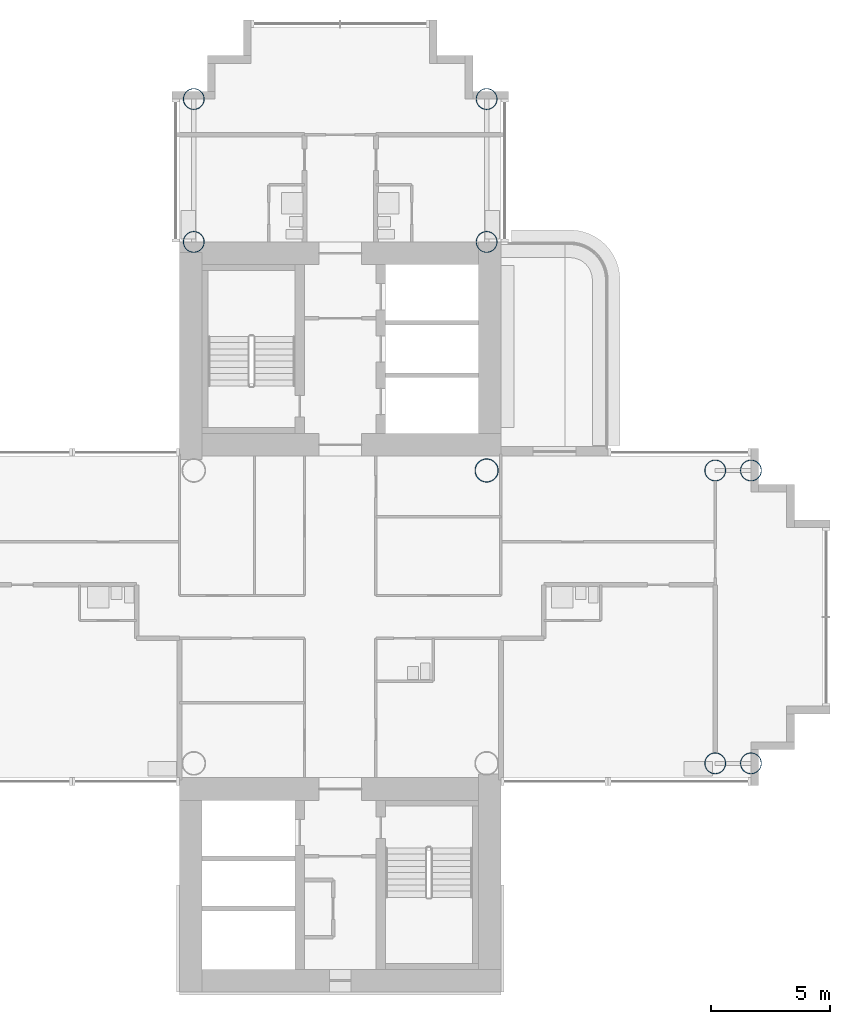
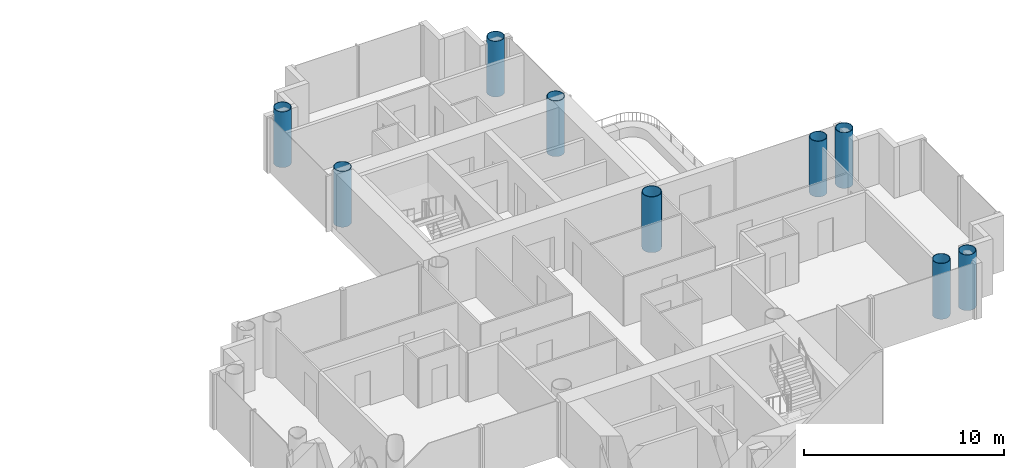
# One storey, part 2 of 21: 9 columns.
"""IFC4 building model written with IfcOpenShell, lengths in metres."""

from ifc_helpers import new_model, si_unit, direction, frame, origin, origin_2d, place, context, subcontext, project, spatial, hollow_circle, extrude, material, material_profile, profile_set, type_object, element, save


model = new_model("IFC4")

# Units and contexts
model_context = context("Model", 3, precision=1e-05, world=origin(), true_north=direction((0.0, 1.0)))
body_context = subcontext(model_context, "Body", "Model", "MODEL_VIEW")
ifc_project = project(units=[si_unit("LENGTHUNIT", "METRE"), si_unit("AREAUNIT", "SQUARE_METRE"), si_unit("VOLUMEUNIT", "CUBIC_METRE"), si_unit("PLANEANGLEUNIT", "RADIAN"), si_unit("MASSUNIT", "GRAM", prefix="KILO")], contexts=[model_context])

# Site, building, storey
site_placement = place(None, origin())
site = spatial("IfcSite", under=ifc_project, at=site_placement, CompositionType="ELEMENT")
building_placement = place(site_placement, origin())
building = spatial("IfcBuilding", under=site, at=building_placement, Name="Ipe Terrace Towers", CompositionType="ELEMENT")
storey_placement = place(building_placement, frame((0.0, 0.0, 97.0)))
storey = spatial("IfcBuildingStorey", under=building, at=storey_placement, Name="L26", CompositionType="ELEMENT", Elevation=97.0)

# Columns
ifc_material_1 = material(Name="Steel S355 tube with Concrete C60/75 fill", Category="concrete")
ifc_material_profile_1 = material_profile(ifc_material_1, hollow_circle(Radius=0.5, WallThickness=0.035888671875, at=origin_2d()), Name="CHS-1000x36")
ifc_profile_set_1 = profile_set([ifc_material_profile_1], Name="Steel S355 tube with Concrete C60/75 fill")
column_type_1 = type_object("IfcColumnType", Name="CH01 COLUMN CHS-1000x36", PredefinedType="COLUMN", material=ifc_profile_set_1)
column_placement = place(storey_placement, frame((42.14990234375, 6.14990234375, 0.0), z_axis=(0.0, 0.0, 1.0), x_axis=(1.0, 0.0, 0.0)))
element("IfcColumn", 1, at=column_placement, inside=storey, type_object=column_type_1, Name="Column T2-C-E02", PredefinedType="COLUMN", context=body_context, shape_type="SweptSolid", body=[
    extrude(hollow_circle(Radius=0.5, WallThickness=0.035888671875, at=origin_2d()), origin(), (0.0, 0.0, 1.0), 3.39990234375),
])
ifc_material_2 = material(Name="Steel S355 tube with Concrete C60/75 fill", Category="concrete")
ifc_material_profile_2 = material_profile(ifc_material_2, hollow_circle(Radius=0.449951171875, WallThickness=0.031982421875, at=origin_2d()), Name="CHS-900x32")
ifc_profile_set_2 = profile_set([ifc_material_profile_2], Name="Steel S355 tube with Concrete C60/75 fill")
column_type_2 = type_object("IfcColumnType", Name="CH10 COLUMN CHS-900x32", PredefinedType="COLUMN", material=ifc_profile_set_2)
for number, where, z_axis, x_axis, name in (
    (2, (42.14990234375, 15.75, 0.0), (0.0, 0.0, 1.0), (1.0, 0.0, 0.0), "Column T2-C-A01"),
    (3, (29.85009765625, 15.75, 0.0), (0.0, 0.0, 1.0), (1.0, 0.0, 0.0), "Column T2-C-A02"),
    (4, (42.14990234375, 21.75, 0.0), (0.0, 0.0, 1.0), (1.0, 0.0, 0.0), "Column T2-C-A03"),
    (5, (29.85009765625, 21.75, 0.0), (0.0, 0.0, 1.0), (1.0, 0.0, 0.0), "Column T2-C-A04"),
    (6, (51.75, -6.14990234375, 0.0), (0.0, 0.0, 1.0), (1.0, 0.0, 0.0), "Column T2-C-D03"),
    (7, (51.75, 6.14990234375, 0.0), (0.0, 0.0, 1.0), (1.0, 0.0, 0.0), "Column T2-C-D04"),
    (8, (53.25, -6.14990234375, 0.0), (0.0, 0.0, 1.0), (1.0, 0.0, 0.0), "Column T2-C-D05"),
    (9, (53.25, 6.14990234375, 0.0), (0.0, 0.0, 1.0), (1.0, 0.0, 0.0), "Column T2-C-D06"),
):
    element("IfcColumn", number, at=place(storey_placement, frame(where, z_axis=z_axis, x_axis=x_axis)), inside=storey, type_object=column_type_2, Name=name, PredefinedType="COLUMN", context=body_context, shape_type="SweptSolid", body=[
        extrude(hollow_circle(Radius=0.449951171875, WallThickness=0.031982421875, at=origin_2d()), origin(), (0.0, 0.0, 1.0), 3.39990234375),
    ])

save(model, "model.ifc")
